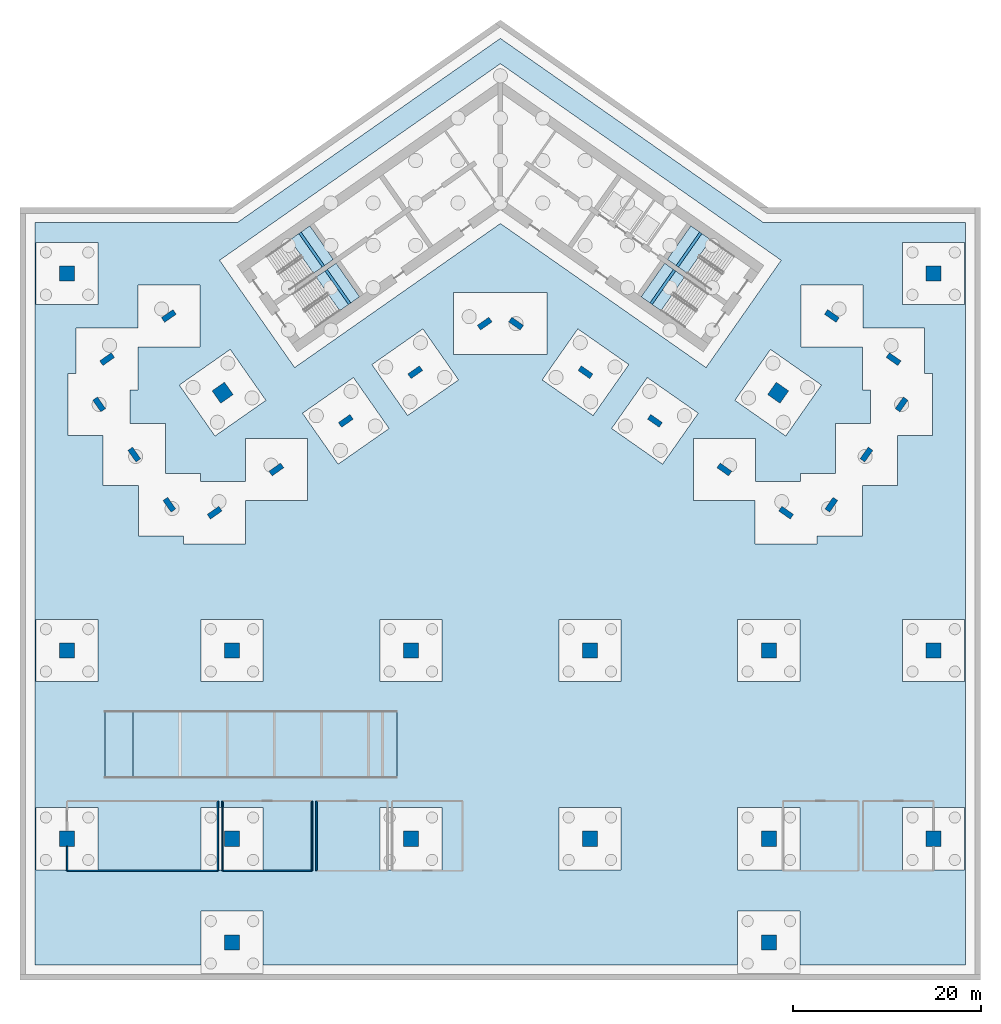
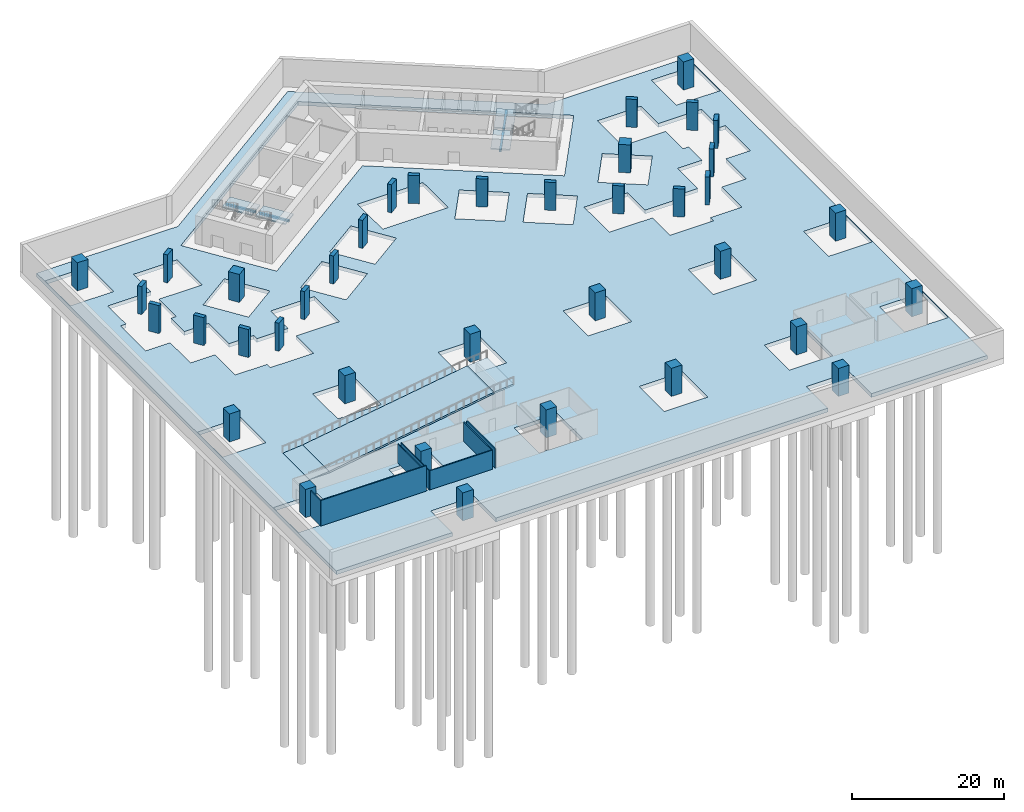
# One storey, part 2 of 13: 38 columns, 8 slabs, 7 walls, 4 beams, 4 elements without a shape of their own.
"""IFC4 building model written with IfcOpenShell, lengths in metres."""

from ifc_helpers import new_model, si_unit, direction, frame, frame_2d, origin, origin_2d, place, context, subcontext, project, spatial, polyline, rectangle, outline, extrude, material, layer, layer_set, material_profile, profile_set, type_object, element, aggregate, save


model = new_model("IFC4")

# Units and contexts
model_context = context("Model", 3, precision=1e-05, world=origin(), true_north=direction((0.0, 1.0)))
body_context = subcontext(model_context, "Body", "Model", "MODEL_VIEW")
ifc_project = project(units=[si_unit("LENGTHUNIT", "METRE"), si_unit("AREAUNIT", "SQUARE_METRE"), si_unit("VOLUMEUNIT", "CUBIC_METRE"), si_unit("PLANEANGLEUNIT", "RADIAN"), si_unit("MASSUNIT", "GRAM", prefix="KILO")], contexts=[model_context])

# Site, building, storey
site_placement = place(None, origin())
site = spatial("IfcSite", under=ifc_project, at=site_placement, CompositionType="ELEMENT")
building_placement = place(site_placement, origin())
building = spatial("IfcBuilding", under=site, at=building_placement, Name="Tel Ilan Convention Tower", CompositionType="ELEMENT")
storey_placement = place(building_placement, frame((0.0, 0.0, -9.0)))
storey = spatial("IfcBuildingStorey", under=building, at=storey_placement, Name="B2", CompositionType="ELEMENT", Elevation=-9.0)

# Columns
ifc_material_1 = material(Name="Concrete C60/75", Category="concrete")
ifc_material_profile_1 = material_profile(ifc_material_1, rectangle(XDim=1.60009765625, YDim=1.60009765625, at=origin_2d()), Name="RC 1600x1600")
ifc_profile_set_1 = profile_set([ifc_material_profile_1], Name="Concrete C60/75")
column_type_1 = type_object("IfcColumnType", Name="Column RC 1600x1600 C60/75", PredefinedType="COLUMN", material=ifc_profile_set_1)
for number, where, z_axis, x_axis, name in (
    (1, (-29.489501953125, -20.648681640625, 0.0), (0.0, 0.0, 1.0), (-0.819152044289, -0.573576436351, 0.0), "B2 column W-M4"),
    (2, (29.489501953125, -20.648681640625, 0.0), (0.0, 0.0, 1.0), (0.819152044289, -0.573576436351, 0.0), "B2 column E-M4"),
    (3, (-28.5, -79.0, 0.0), (0.0, 0.0, 1.0), (1.0, 0.0, 0.0), "B2 column PC12"),
    (4, (28.5, -79.0, 0.0), (0.0, 0.0, 1.0), (1.0, 0.0, 0.0), "B2 column PC15"),
    (5, (-46.0, -68.0, 0.0), (0.0, 0.0, 1.0), (1.0, 0.0, 0.0), "B2 column PC21"),
    (6, (-28.5, -68.0, 0.0), (0.0, 0.0, 1.0), (1.0, 0.0, 0.0), "B2 column PC22"),
    (7, (-9.5, -68.0, 0.0), (0.0, 0.0, 1.0), (1.0, 0.0, 0.0), "B2 column PC23"),
    (8, (9.5, -68.0, 0.0), (0.0, 0.0, 1.0), (1.0, 0.0, 0.0), "B2 column PC24"),
    (9, (28.5, -68.0, 0.0), (0.0, 0.0, 1.0), (1.0, 0.0, 0.0), "B2 column PC25"),
    (10, (46.0, -68.0, 0.0), (0.0, 0.0, 1.0), (1.0, 0.0, 0.0), "B2 column PC26"),
    (11, (-46.0, -48.0, 0.0), (0.0, 0.0, 1.0), (1.0, 0.0, 0.0), "B2 column PC31"),
    (12, (-28.5, -48.0, 0.0), (0.0, 0.0, 1.0), (1.0, 0.0, 0.0), "B2 column PC32"),
    (13, (-9.5, -48.0, 0.0), (0.0, 0.0, 1.0), (1.0, 0.0, 0.0), "B2 column PC33"),
    (14, (9.5, -48.0, 0.0), (0.0, 0.0, 1.0), (1.0, 0.0, 0.0), "B2 column PC34"),
    (15, (28.5, -48.0, 0.0), (0.0, 0.0, 1.0), (1.0, 0.0, 0.0), "B2 column PC35"),
    (16, (46.0, -48.0, 0.0), (0.0, 0.0, 1.0), (1.0, 0.0, 0.0), "B2 column PC36"),
    (17, (-46.0, -8.0, 0.0), (0.0, 0.0, 1.0), (1.0, 0.0, 0.0), "B2 column PC51"),
    (18, (46.0, -8.0, 0.0), (0.0, 0.0, 1.0), (1.0, 0.0, 0.0), "B2 column PC56"),
):
    element("IfcColumn", number, at=place(storey_placement, frame(where, z_axis=z_axis, x_axis=x_axis)), inside=storey, type_object=column_type_1, Name=name, PredefinedType="COLUMN", context=body_context, shape_type="SweptSolid", body=[
        extrude(rectangle(XDim=1.60009765625, YDim=1.60009765625, at=origin_2d()), origin(), (0.0, 0.0, 1.0), 4.5),
    ])
ifc_material_2 = material(Name="Concrete C60/75", Category="concrete")
ifc_material_profile_2 = material_profile(ifc_material_2, rectangle(XDim=1.5, YDim=0.60009765625, at=origin_2d()), Name="RC 600x1500")
ifc_profile_set_2 = profile_set([ifc_material_profile_2], Name="Concrete C60/75")
column_type_2 = type_object("IfcColumnType", Name="Column RC 600x1500 C60/75", PredefinedType="COLUMN", material=ifc_profile_set_2)
for number, where, z_axis, x_axis, name in (
    (19, (-1.665283203125, -13.312744140625, 0.0), (0.0, 0.0, 1.0), (-0.819152044289, -0.573576436351, 0.0), "B2 column W-F1"),
    (20, (-9.03759765625, -18.474853515625, 0.0), (0.0, 0.0, 1.0), (-0.819152044289, -0.573576436351, 0.0), "B2 column W-F2"),
    (21, (-16.409912109375, -23.63720703125, 0.0), (0.0, 0.0, 1.0), (-0.819152044289, -0.573576436351, 0.0), "B2 column W-F3"),
    (22, (-23.782470703125, -28.79931640625, 0.0), (0.0, 0.0, 1.0), (-0.819152044289, -0.573576436351, 0.0), "B2 column W-F4"),
    (23, (-30.335693359375, -33.387939453125, 0.0), (0.0, 0.0, 1.0), (-0.819152044289, -0.573576436351, 0.0), "B2 column W-FC"),
    (24, (-35.196533203125, -12.498291015625, 0.0), (0.0, 0.0, 1.0), (-0.819152044289, -0.573576436351, 0.0), "B2 column W-B4"),
    (25, (-41.749755859375, -17.0869140625, 0.0), (0.0, 0.0, 1.0), (-0.819152044289, -0.573576436351, 0.0), "B2 column W-BC"),
    (26, (-35.140380859375, -32.540771484375, 0.0), (0.0, 0.0, 1.0), (-0.573576436351, 0.819152044289, 0.0), "B2 column W-E1"),
    (27, (-38.868896484375, -27.21630859375, 0.0), (0.0, 0.0, 1.0), (-0.573576436351, 0.819152044289, 0.0), "B2 column W-E2"),
    (28, (-42.596923828125, -21.8916015625, 0.0), (0.0, 0.0, 1.0), (-0.573576436351, 0.819152044289, 0.0), "B2 column W-E3"),
    (29, (1.665283203125, -13.312744140625, 0.0), (0.0, 0.0, 1.0), (0.819152044289, -0.573576436351, 0.0), "B2 column E-F1"),
    (30, (9.03759765625, -18.474853515625, 0.0), (0.0, 0.0, 1.0), (0.819152044289, -0.573576436351, 0.0), "B2 column E-F2"),
    (31, (16.409912109375, -23.63720703125, 0.0), (0.0, 0.0, 1.0), (0.819152044289, -0.573576436351, 0.0), "B2 column E-F3"),
    (32, (23.782470703125, -28.79931640625, 0.0), (0.0, 0.0, 1.0), (0.819152044289, -0.573576436351, 0.0), "B2 column E-F4"),
    (33, (30.335693359375, -33.387939453125, 0.0), (0.0, 0.0, 1.0), (0.819152044289, -0.573576436351, 0.0), "B2 column E-FC"),
    (34, (35.196533203125, -12.498291015625, 0.0), (0.0, 0.0, 1.0), (0.819152044289, -0.573576436351, 0.0), "B2 column E-B4"),
    (35, (41.749755859375, -17.0869140625, 0.0), (0.0, 0.0, 1.0), (0.819152044289, -0.573576436351, 0.0), "B2 column E-BC"),
    (36, (35.140380859375, -32.540771484375, 0.0), (0.0, 0.0, 1.0), (0.573576436351, 0.819152044289, 0.0), "B2 column E-E1"),
    (37, (38.868896484375, -27.21630859375, 0.0), (0.0, 0.0, 1.0), (0.573576436351, 0.819152044289, 0.0), "B2 column E-E2"),
    (38, (42.596923828125, -21.8916015625, 0.0), (0.0, 0.0, 1.0), (0.573576436351, 0.819152044289, 0.0), "B2 column E-E3"),
):
    element("IfcColumn", number, at=place(storey_placement, frame(where, z_axis=z_axis, x_axis=x_axis)), inside=storey, type_object=column_type_2, Name=name, PredefinedType="COLUMN", context=body_context, shape_type="SweptSolid", body=[
        extrude(rectangle(XDim=1.5, YDim=0.60009765625, at=origin_2d()), origin(), (0.0, 0.0, 1.0), 4.5),
    ])

# Beams
ifc_material_3 = material(Name="Concrete C40/50", Category="concrete")
ifc_material_profile_3 = material_profile(ifc_material_3, rectangle(XDim=0.300048828125, YDim=0.300048828125, at=origin_2d()), Name="RC 300x300")
ifc_profile_set_3 = profile_set([ifc_material_profile_3], Name="Concrete C40/50")
beam_type = type_object("IfcBeamType", Name="Landing Beam RC 300x300 Concrete C40/50", PredefinedType="BEAM", material=ifc_profile_set_3)
for number, where, z_axis, x_axis, name in (
    (39, (-18.7841796875, -7.232177734375, 1.89990234375), (-0.57356780395, 0.819158088694, 0.0), (-0.819158088694, -0.57356780395, 0.0), "S1 landing beam B2.1"),
    (40, (-16.00244140625, -11.205078125, 1.89990234375), (-0.57356780395, 0.819158088694, 0.0), (-0.819158088694, -0.57356780395, 0.0), "S2 landing beam B2.1"),
    (41, (21.279296875, -3.668701171875, 1.89990234375), (-0.57356780395, -0.819158088694, 0.0), (0.819158088694, -0.57356780395, 0.0), "S3 landing beam B2.1"),
    (42, (18.49755859375, -7.6416015625, 1.89990234375), (-0.57356780395, -0.819158088694, 0.0), (0.819158088694, -0.57356780395, 0.0), "S4 landing beam B2.1"),
):
    element("IfcBeam", number, at=place(storey_placement, frame(where, z_axis=z_axis, x_axis=x_axis)), inside=storey, type_object=beam_type, Name=name, PredefinedType="BEAM", context=body_context, shape_type="SweptSolid", body=[
        extrude(rectangle(XDim=0.300048828125, YDim=0.300048828125, at=origin_2d()), origin(), (0.0, 0.0, 1.0), 4.35009765625),
    ])

# Slabs
ifc_material_4 = material(Name="Concrete C40/50", Category="concrete")
ifc_layer_1 = layer(ifc_material_4, 0.60009765625)
ifc_layer_set_1 = layer_set([ifc_layer_1], Name="Basement Raft Slab 600 mm C40/50")
slab_type_1 = type_object("IfcSlabType", Name="Basement Raft Slab 600 mm C40/50", PredefinedType="BASESLAB", material=ifc_layer_set_1)
slab_1_placement = place(storey_placement, frame((0.0, 0.0, -0.60009765625)))
element("IfcSlab", 43, at=slab_1_placement, inside=storey, type_object=slab_type_1, Name="Basement raft slab", PredefinedType="BASESLAB", context=body_context, shape_type="SweptSolid", body=[
    extrude(outline(polyline([(-49.39990234375, -2.60009765625), (-27.947021484375, -2.60009765625), (0.0, 16.96875), (27.947021484375, -2.60009765625), (49.39990234375, -2.60009765625), (49.39990234375, -81.39990234375), (31.800048828125, -81.39990234375), (31.800048828125, -75.699951171875), (25.199951171875, -75.699951171875), (25.199951171875, -81.39990234375), (-25.199951171875, -81.39990234375), (-25.199951171875, -75.699951171875), (-31.800048828125, -75.699951171875), (-31.800048828125, -81.39990234375), (-49.39990234375, -81.39990234375), (-49.39990234375, -2.60009765625)]), holes=[polyline([(42.699951171875, -11.300048828125), (49.300048828125, -11.300048828125), (49.300048828125, -4.699951171875), (42.699951171875, -4.699951171875), (42.699951171875, -11.300048828125)]), polyline([(49.300048828125, -51.300048828125), (49.300048828125, -44.699951171875), (42.699951171875, -44.699951171875), (42.699951171875, -51.300048828125), (49.300048828125, -51.300048828125)]), polyline([(49.300048828125, -71.300048828125), (49.300048828125, -64.699951171875), (42.699951171875, -64.699951171875), (42.699951171875, -71.300048828125), (49.300048828125, -71.300048828125)]), polyline([(27.08251953125, -30.087890625), (27.08251953125, -25.499267578125), (20.482421875, -25.499267578125), (20.482421875, -32.099365234375), (27.03564453125, -32.099365234375), (27.03564453125, -36.68798828125), (33.635498046875, -36.68798828125), (33.635498046875, -35.8408203125), (38.4404296875, -35.8408203125), (38.4404296875, -30.51611328125), (42.168701171875, -30.51611328125), (42.168701171875, -25.191650390625), (45.89697265625, -25.191650390625), (45.89697265625, -18.591796875), (45.0498046875, -18.591796875), (45.0498046875, -13.786865234375), (38.49658203125, -13.786865234375), (38.49658203125, -9.1982421875), (31.896484375, -9.1982421875), (31.896484375, -15.798095703125), (38.44970703125, -15.798095703125), (38.44970703125, -20.38671875), (39.297119140625, -20.38671875), (39.297119140625, -23.916259765625), (35.56884765625, -23.916259765625), (35.56884765625, -29.24072265625), (31.840576171875, -29.24072265625), (31.840576171875, -30.087890625), (27.08251953125, -30.087890625)]), polyline([(24.8935546875, -21.459228515625), (30.2998046875, -25.244873046875), (34.08544921875, -19.83837890625), (28.67919921875, -16.052734375), (24.8935546875, -21.459228515625)]), polyline([(25.199951171875, -51.300048828125), (31.800048828125, -51.300048828125), (31.800048828125, -44.699951171875), (25.199951171875, -44.699951171875), (25.199951171875, -51.300048828125)]), polyline([(25.199951171875, -71.300048828125), (31.800048828125, -71.300048828125), (31.800048828125, -64.699951171875), (25.199951171875, -64.699951171875), (25.199951171875, -71.300048828125)]), polyline([(21.838134765625, -17.97705078125), (29.810791015625, -6.5908203125), (0.0, 14.283203125), (-29.810791015625, -6.5908203125), (-21.838134765625, -17.97705078125), (0.0, -2.685791015625), (21.838134765625, -17.97705078125)]), polyline([(11.81396484375, -24.447509765625), (17.220458984375, -28.233154296875), (21.006103515625, -22.82666015625), (15.599609375, -19.041015625), (11.81396484375, -24.447509765625)]), polyline([(4.441650390625, -19.285400390625), (9.84814453125, -23.07080078125), (13.6337890625, -17.66455078125), (8.227294921875, -13.87890625), (4.441650390625, -19.285400390625)]), polyline([(6.199951171875, -71.300048828125), (12.800048828125, -71.300048828125), (12.800048828125, -64.699951171875), (6.199951171875, -64.699951171875), (6.199951171875, -71.300048828125)]), polyline([(6.199951171875, -51.300048828125), (12.800048828125, -51.300048828125), (12.800048828125, -44.699951171875), (6.199951171875, -44.699951171875), (6.199951171875, -51.300048828125)]), polyline([(-4.96533203125, -16.61279296875), (4.96533203125, -16.61279296875), (4.96533203125, -10.0126953125), (-4.96533203125, -10.0126953125), (-4.96533203125, -16.61279296875)]), polyline([(-8.227294921875, -13.87890625), (-13.6337890625, -17.66455078125), (-9.84814453125, -23.07080078125), (-4.441650390625, -19.285400390625), (-8.227294921875, -13.87890625)]), polyline([(-6.199951171875, -51.300048828125), (-6.199951171875, -44.699951171875), (-12.800048828125, -44.699951171875), (-12.800048828125, -51.300048828125), (-6.199951171875, -51.300048828125)]), polyline([(-6.199951171875, -71.300048828125), (-6.199951171875, -64.699951171875), (-12.800048828125, -64.699951171875), (-12.800048828125, -71.300048828125), (-6.199951171875, -71.300048828125)]), polyline([(-15.599609375, -19.041015625), (-21.006103515625, -22.82666015625), (-17.220458984375, -28.233154296875), (-11.81396484375, -24.447509765625), (-15.599609375, -19.041015625)]), polyline([(-42.168701171875, -25.191650390625), (-42.168701171875, -30.51611328125), (-38.4404296875, -30.51611328125), (-38.4404296875, -35.8408203125), (-33.635498046875, -35.8408203125), (-33.635498046875, -36.68798828125), (-27.03564453125, -36.68798828125), (-27.03564453125, -32.099365234375), (-20.482421875, -32.099365234375), (-20.482421875, -25.499267578125), (-27.08251953125, -25.499267578125), (-27.08251953125, -30.087890625), (-31.840576171875, -30.087890625), (-31.840576171875, -29.24072265625), (-35.56884765625, -29.24072265625), (-35.56884765625, -23.916259765625), (-39.297119140625, -23.916259765625), (-39.297119140625, -20.38671875), (-38.44970703125, -20.38671875), (-38.44970703125, -15.798095703125), (-31.896484375, -15.798095703125), (-31.896484375, -9.1982421875), (-38.49658203125, -9.1982421875), (-38.49658203125, -13.786865234375), (-45.0498046875, -13.786865234375), (-45.0498046875, -18.591796875), (-45.89697265625, -18.591796875), (-45.89697265625, -25.191650390625), (-42.168701171875, -25.191650390625)]), polyline([(-28.67919921875, -16.052734375), (-34.08544921875, -19.83837890625), (-30.2998046875, -25.244873046875), (-24.8935546875, -21.459228515625), (-28.67919921875, -16.052734375)]), polyline([(-31.800048828125, -51.300048828125), (-25.199951171875, -51.300048828125), (-25.199951171875, -44.699951171875), (-31.800048828125, -44.699951171875), (-31.800048828125, -51.300048828125)]), polyline([(-31.800048828125, -71.300048828125), (-25.199951171875, -71.300048828125), (-25.199951171875, -64.699951171875), (-31.800048828125, -64.699951171875), (-31.800048828125, -71.300048828125)]), polyline([(-49.300048828125, -71.300048828125), (-42.699951171875, -71.300048828125), (-42.699951171875, -64.699951171875), (-49.300048828125, -64.699951171875), (-49.300048828125, -71.300048828125)]), polyline([(-49.300048828125, -11.300048828125), (-42.699951171875, -11.300048828125), (-42.699951171875, -4.699951171875), (-49.300048828125, -4.699951171875), (-49.300048828125, -11.300048828125)]), polyline([(-49.300048828125, -51.300048828125), (-42.699951171875, -51.300048828125), (-42.699951171875, -44.699951171875), (-49.300048828125, -44.699951171875), (-49.300048828125, -51.300048828125)])]), origin(), (0.0, 0.0, 1.0), 0.60009765625),
])
ifc_material_5 = material(Name="Concrete C40/50", Category="concrete")
ifc_layer_2 = layer(ifc_material_5, 0.280029296875)
ifc_layer_set_2 = layer_set([ifc_layer_2], Name="Concrete Car Ramp Slab 280 mm C40/50")
slab_type_2 = type_object("IfcSlabType", Name="Concrete Car Ramp Slab 280 mm", PredefinedType="FLOOR", material=ifc_layer_set_2)
slab_2_placement = place(storey_placement, frame((-42.0, -58.0, 0.0), z_axis=(0.0, 0.0, 1.0), x_axis=(1.0, 0.0, 0.0)))
element("IfcSlab", 44, at=slab_2_placement, inside=storey, type_object=slab_type_2, Name="Car Park Ramp B2-B1 slab 1", PredefinedType="FLOOR", context=body_context, shape_type="SweptSolid", body=[
    extrude(outline(polyline([(0.0, 0.0), (3.0, 0.0), (3.0, 0.280029296875), (0.0, 0.0), (0.0, 0.0)])), frame((0.0, 3.5, 0.0), z_axis=(0.0, -1.0, 0.0), x_axis=(1.0, 0.0, 0.0)), (0.0, 0.0, 1.0), 7.0),
])
slab_3_placement = place(storey_placement, frame((-39.0, -61.5, 0.280029296875), z_axis=(-0.155676246479, 0.0, 0.987808132322), x_axis=(0.987808132322, 0.0, 0.155676246479)))
element("IfcSlab", 45, at=slab_3_placement, inside=storey, type_object=slab_type_2, Name="Car Park Ramp B2-B1 slab 2", PredefinedType="FLOOR", context=body_context, shape_type="SweptSolid", body=[
    extrude(outline(polyline([(0.0, 0.0), (25.308558597531455, 0.0), (25.308558597531455, 6.999999999999999), (0.0, 6.999999999999999), (0.0, 0.0)])), origin(), (-0.155676246479, 0.0, -0.987808132322), 0.280029296875),
])
slab_4_placement = place(storey_placement, frame((-14.0, -61.5, 4.219970703125), z_axis=(-0.092939090985, 0.0, 0.995671796009), x_axis=(0.995671796009, 0.0, 0.092939090985)))
element("IfcSlab", 46, at=slab_4_placement, inside=storey, type_object=slab_type_2, Name="Car Park Ramp B2-B1 slab 3", PredefinedType="FLOOR", context=body_context, shape_type="SweptSolid", body=[
    extrude(outline(polyline([(0.0, 0.0), (3.0130410563263665, 0.0), (3.0130410563263665, 7.0), (0.0, 7.0), (0.0, 0.0)])), origin(), (-0.092939090985, 0.0, -0.995671796009), 0.280029296875),
])

# Stair, slab
ifc_material_6 = material(Name="Concrete C40/50", Category="concrete")
stair_type = type_object("IfcStairType", Name="Pressurised Exit Stair 24 risers 188 mm", PredefinedType="HALF_TURN_STAIR", material=ifc_material_6)
stair_1_placement = place(storey_placement, origin())
stair_1 = element("IfcStair", 47, at=stair_1_placement, inside=storey, type_object=stair_type, Name="B2 Pressurised Stair S1", PredefinedType="HALF_TURN_STAIR")
ifc_material_7 = material(Name="Concrete C40/50", Category="concrete")
ifc_layer_3 = layer(ifc_material_7, 0.199951171875)
ifc_layer_set_3 = layer_set([ifc_layer_3], Name="Concrete Stair Landing 200 mm C40/50")
slab_type_3 = type_object("IfcSlabType", Name="Concrete Stair Landing 200 mm", PredefinedType="LANDING", material=ifc_layer_set_3)
slab_5_placement = place(storey_placement, frame((0.0, 0.0, 2.050048828125)))
slab_5 = element("IfcSlab", 48, at=slab_5_placement, type_object=slab_type_3, Name="S1 landing 1", PredefinedType="LANDING", context=body_context, shape_type="SweptSolid", body=[
    extrude(outline(polyline([(-19.837158203125, -7.969482421875), (-17.7314453125, -6.494873046875), (-20.226318359375, -2.931640625), (-22.332275390625, -4.406005859375), (-19.837158203125, -7.969482421875)])), origin(), (0.0, 0.0, 1.0), 0.199951171875),
])
aggregate(stair_1, [slab_5])

stair_2_placement = place(storey_placement, origin())
stair_2 = element("IfcStair", 49, at=stair_2_placement, inside=storey, type_object=stair_type, Name="B2 Pressurised Stair S2", PredefinedType="HALF_TURN_STAIR")
slab_6_placement = place(storey_placement, frame((0.0, 0.0, 2.050048828125)))
slab_6 = element("IfcSlab", 50, at=slab_6_placement, type_object=slab_type_3, Name="S2 landing 1", PredefinedType="LANDING", context=body_context, shape_type="SweptSolid", body=[
    extrude(outline(polyline([(-17.055419921875, -11.9423828125), (-14.949462890625, -10.4677734375), (-17.444580078125, -6.904541015625), (-19.550537109375, -8.37890625), (-17.055419921875, -11.9423828125)])), origin(), (0.0, 0.0, 1.0), 0.199951171875),
])
aggregate(stair_2, [slab_6])

stair_3_placement = place(storey_placement, origin())
stair_3 = element("IfcStair", 51, at=stair_3_placement, inside=storey, type_object=stair_type, Name="B2 Pressurised Stair S3", PredefinedType="HALF_TURN_STAIR")
slab_7_placement = place(storey_placement, frame((0.0, 0.0, 2.050048828125)))
slab_7 = element("IfcSlab", 52, at=slab_7_placement, type_object=slab_type_3, Name="S3 landing 1", PredefinedType="LANDING", context=body_context, shape_type="SweptSolid", body=[
    extrude(outline(polyline([(22.332275390625, -4.406005859375), (20.226318359375, -2.931640625), (17.7314453125, -6.494873046875), (19.837158203125, -7.969482421875), (22.332275390625, -4.406005859375)])), origin(), (0.0, 0.0, 1.0), 0.199951171875),
])
aggregate(stair_3, [slab_7])

stair_4_placement = place(storey_placement, origin())
stair_4 = element("IfcStair", 53, at=stair_4_placement, inside=storey, type_object=stair_type, Name="B2 Pressurised Stair S4", PredefinedType="HALF_TURN_STAIR")
slab_8_placement = place(storey_placement, frame((0.0, 0.0, 2.050048828125)))
slab_8 = element("IfcSlab", 54, at=slab_8_placement, type_object=slab_type_3, Name="S4 landing 1", PredefinedType="LANDING", context=body_context, shape_type="SweptSolid", body=[
    extrude(outline(polyline([(19.550537109375, -8.37890625), (17.444580078125, -6.904541015625), (14.949462890625, -10.4677734375), (17.055419921875, -11.9423828125), (19.550537109375, -8.37890625)])), origin(), (0.0, 0.0, 1.0), 0.199951171875),
])
aggregate(stair_4, [slab_8])

# Walls
ifc_material_8 = material(Name="Plasterboard on Steel Studs", Category="steel")
ifc_layer_4 = layer(ifc_material_8, 0.14990234375)
ifc_layer_set_4 = layer_set([ifc_layer_4], Name="Fire-rated Partition 150 EI 60")
wall_type = type_object("IfcWallType", Name="Fire-rated Partition 150 EI 60", PredefinedType="PARTITIONING", material=ifc_layer_set_4)
wall_1_placement = place(storey_placement, frame((-46.0009765625, -68.820068359375, 0.0), z_axis=(0.0, 0.0, 1.0), x_axis=(0.0, -1.0, 0.0)))
element("IfcWall", 55, at=wall_1_placement, inside=storey, type_object=wall_type, Name="Partition 002", PredefinedType="PARTITIONING", context=body_context, shape_type="SweptSolid", body=[
    extrude(rectangle(XDim=2.579833984375, YDim=0.14990234375, at=frame_2d((1.2900390625, 0.0))), origin(), (0.0, 0.0, 1.0), 4.090087890625),
])
wall_2_placement = place(storey_placement, frame((-46.0, -71.40087890625, 0.0), z_axis=(0.0, 0.0, 1.0), x_axis=(1.0, 0.0, 0.0)))
element("IfcWall", 56, at=wall_2_placement, inside=storey, type_object=wall_type, Name="Partition 003", PredefinedType="PARTITIONING", context=body_context, shape_type="SweptSolid", body=[
    extrude(rectangle(XDim=16.0, YDim=0.14990234375, at=frame_2d((8.0, 0.0))), origin(), (0.0, 0.0, 1.0), 4.090087890625),
])
for number, where, z_axis, x_axis, name in (
    (57, (-29.9990234375, -71.39990234375, 0.0), (0.0, 0.0, 1.0), (0.0, 1.0, 0.0), "Partition 004"),
    (58, (-29.5009765625, -64.0, 0.0), (0.0, 0.0, 1.0), (0.0, -1.0, 0.0), "Partition 007"),
):
    element("IfcWall", number, at=place(storey_placement, frame(where, z_axis=z_axis, x_axis=x_axis)), inside=storey, type_object=wall_type, Name=name, PredefinedType="PARTITIONING", context=body_context, shape_type="SweptSolid", body=[
        extrude(rectangle(XDim=7.39990234375, YDim=0.14990234375, at=frame_2d((3.699951171875, 0.0))), origin(), (0.0, 0.0, 1.0), 3.070068359375),
    ])
wall_3_placement = place(storey_placement, frame((-29.5, -71.40087890625, 0.0), z_axis=(0.0, 0.0, 1.0), x_axis=(1.0, 0.0, 0.0)))
element("IfcWall", 59, at=wall_3_placement, inside=storey, type_object=wall_type, Name="Partition 008", PredefinedType="PARTITIONING", context=body_context, shape_type="SweptSolid", body=[
    extrude(rectangle(XDim=9.5, YDim=0.14990234375, at=frame_2d((4.75, 0.0))), origin(), (0.0, 0.0, 1.0), 3.070068359375),
])
for number, where, z_axis, x_axis, name in (
    (60, (-19.9990234375, -71.39990234375, 0.0), (0.0, 0.0, 1.0), (0.0, 1.0, 0.0), "Partition 009"),
    (61, (-19.5009765625, -64.0, 0.0), (0.0, 0.0, 1.0), (0.0, -1.0, 0.0), "Partition 011"),
):
    element("IfcWall", number, at=place(storey_placement, frame(where, z_axis=z_axis, x_axis=x_axis)), inside=storey, type_object=wall_type, Name=name, PredefinedType="PARTITIONING", context=body_context, shape_type="SweptSolid", body=[
        extrude(rectangle(XDim=7.39990234375, YDim=0.14990234375, at=frame_2d((3.699951171875, 0.0))), origin(), (0.0, 0.0, 1.0), 3.070068359375),
    ])

save(model, "model.ifc")
